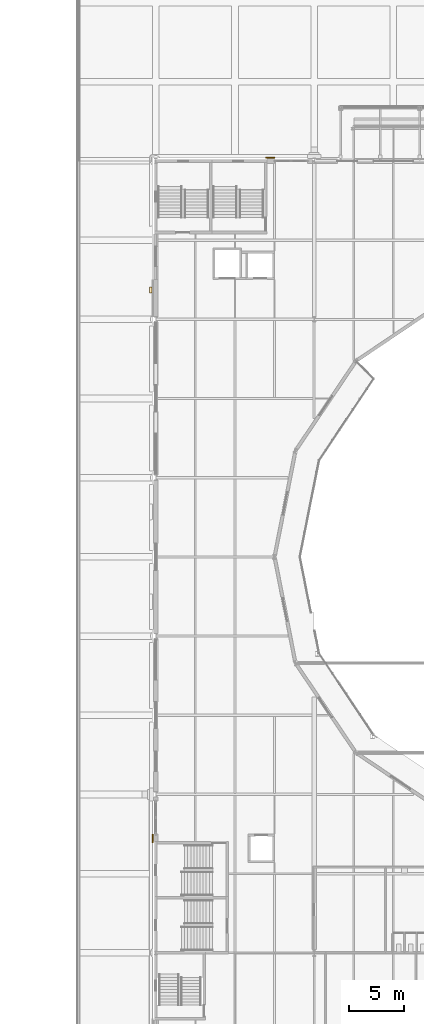
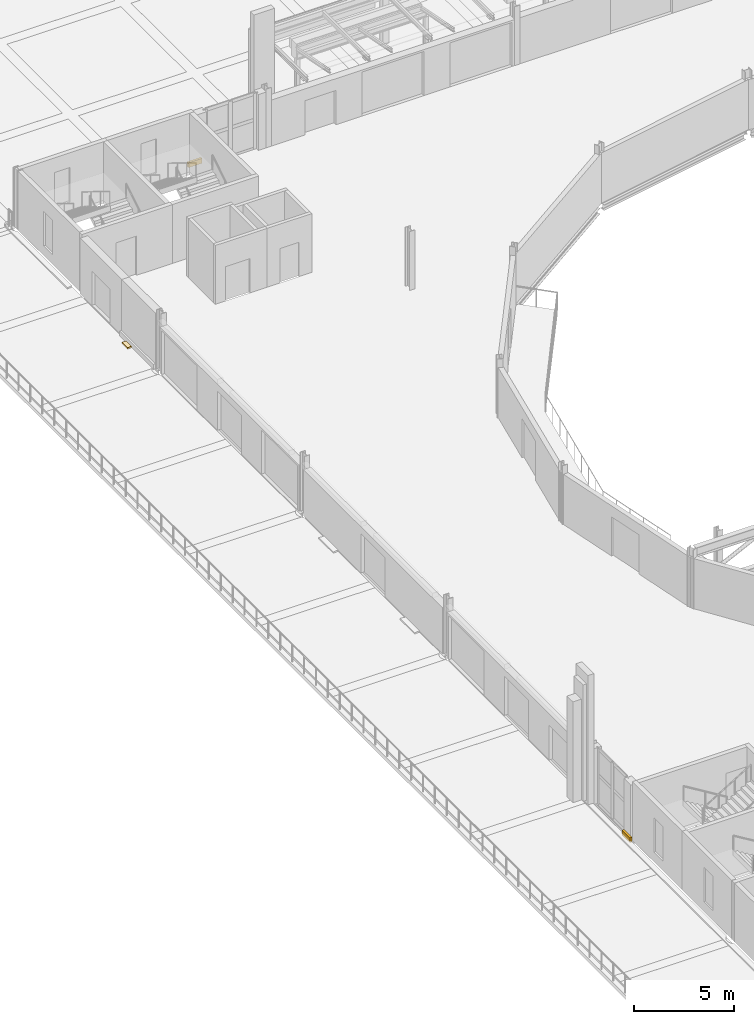
# One storey, part 137 of 143: 3 coverings.
"""IFC4 building model written with IfcOpenShell, lengths in metres."""

import ifcopenshell
import ifcopenshell.guid

model = None  # the IFC model being written
_history = None  # IfcOwnerHistory: only IFC2X3 demands one
_inside = {}  # id of a spatial element -> (the spatial element, [elements in it])
_under = {}  # id of a project, library or spatial element -> (it, [spatial elements below it])
_declared = {}  # id of a project -> (the project, [libraries it declares])
_typed = {}  # id of a type object -> (the type object, [elements of that type])
_made_of = {}  # id of a material, layer set ... -> (it, [elements and type objects made of it])


def new_model(schema):
    """Start an empty IFC model of exactly this schema.

    Asked for "IFC4X3", IfcOpenShell would pick the latest addendum, in which some entities
    have other attributes; the version numbers below select the first issue.
    IFC2X3 requires an IfcOwnerHistory on every rooted entity: one is made here for all.
    """
    global model, _history
    if schema == "IFC4X3":
        model = ifcopenshell.file(schema_version=(4, 3, 0, 0))
    else:
        model = ifcopenshell.file(schema=schema)
    _inside.clear()
    _under.clear()
    _declared.clear()
    _typed.clear()
    _made_of.clear()
    _history = None
    if model.schema == "IFC2X3":
        org = make("IfcOrganization", Name="unknown")
        user = make(
            "IfcPersonAndOrganization",
            ThePerson=make("IfcPerson", FamilyName="unknown"),
            TheOrganization=org,
        )
        app = make(
            "IfcApplication",
            ApplicationDeveloper=org,
            Version="unknown",
            ApplicationFullName="unknown",
            ApplicationIdentifier="unknown",
        )
        _history = make(
            "IfcOwnerHistory",
            OwningUser=user,
            OwningApplication=app,
            ChangeAction="ADDED",
            CreationDate=0,
        )
    return model


def make(cls, **values):
    """One entity of the class cls with the attributes given. An attribute that is None is left unset."""
    return model.create_entity(
        cls, **{name: value for name, value in values.items() if value is not None}
    )


def rooted(cls, **values):
    """An entity with a GlobalId (a new one), such as an element, a storey or a relation."""
    return make(cls, GlobalId=ifcopenshell.guid.new(), OwnerHistory=_history, **values)


def si_unit(unit_type, name, prefix=None):
    """IfcSIUnit, for example si_unit("LENGTHUNIT", "METRE", prefix="MILLI")."""
    return make("IfcSIUnit", UnitType=unit_type, Prefix=prefix, Name=name)


def assignment(units):
    """IfcUnitAssignment: the units of a project."""
    return None if units is None else make("IfcUnitAssignment", Units=units)


def point(xyz):
    """IfcCartesianPoint."""
    return None if xyz is None else make("IfcCartesianPoint", Coordinates=xyz)


def direction(xyz):
    """IfcDirection."""
    return None if xyz is None else make("IfcDirection", DirectionRatios=xyz)


def frame(location, z_axis=None, x_axis=None):
    """IfcAxis2Placement3D, a coordinate frame: its origin and axes. An axis left out is left unset."""
    return make(
        "IfcAxis2Placement3D",
        Location=point(location),
        Axis=direction(z_axis),
        RefDirection=direction(x_axis),
    )


def frame_2d(location, x_axis=None):
    """IfcAxis2Placement2D, a coordinate frame in the plane: its origin and x axis."""
    return make(
        "IfcAxis2Placement2D", Location=point(location), RefDirection=direction(x_axis)
    )


def origin():
    """The frame at (0, 0, 0) with its axes left unset."""
    return frame((0.0, 0.0, 0.0))


def origin_2d():
    """The frame at (0, 0) in the plane with its x axis left unset."""
    return frame_2d((0.0, 0.0))


def place(relative_to, where):
    """IfcLocalPlacement: puts the frame where relative to a parent placement (None: the world)."""
    return make(
        "IfcLocalPlacement", PlacementRelTo=relative_to, RelativePlacement=where
    )


def context(
    kind, dimensions, precision=None, world=None, true_north=None, identifier=None
):
    """IfcGeometricRepresentationContext, for example the 3D "Model" context."""
    return make(
        "IfcGeometricRepresentationContext",
        ContextIdentifier=identifier,
        ContextType=kind,
        CoordinateSpaceDimension=dimensions,
        Precision=precision,
        WorldCoordinateSystem=world,
        TrueNorth=true_north,
    )


def subcontext(parent, identifier, kind, view, scale=None):
    """IfcGeometricRepresentationSubContext, for example "Body" below "Model"."""
    return make(
        "IfcGeometricRepresentationSubContext",
        ContextIdentifier=identifier,
        ContextType=kind,
        ParentContext=parent,
        TargetScale=scale,
        TargetView=view,
    )


def project(units=None, contexts=None):
    """IfcProject with its units and contexts."""
    return rooted(
        "IfcProject",
        Name="project",
        RepresentationContexts=contexts,
        UnitsInContext=assignment(units),
    )


def spatial(cls, under=None, at=None, **own):
    """A site, building, storey or space (cls), placed at a placement, below another one or the project."""
    s = rooted(cls, ObjectPlacement=at, **own)
    if under is not None:
        _under.setdefault(under.id(), (under, []))[1].append(s)
    return s


def polyline(points):
    """IfcPolyline through the points."""
    return make("IfcPolyline", Points=[point(p) for p in points])


def profile(cls, at=None, kind="AREA", **sizes):
    """A parametric profile (cls). Its sizes go by their IFC names, for example OverallWidth=200.0."""
    return make(cls, ProfileType=kind, Position=at, **sizes)


def rectangle(**sizes):
    """IfcRectangleProfileDef."""
    return profile("IfcRectangleProfileDef", **sizes)


def outline(outer, holes=None, kind="AREA"):
    """IfcArbitraryClosedProfileDef: a profile drawn as a closed curve; with holes, ...WithVoids."""
    if holes is None:
        return make("IfcArbitraryClosedProfileDef", ProfileType=kind, OuterCurve=outer)
    return make(
        "IfcArbitraryProfileDefWithVoids",
        ProfileType=kind,
        OuterCurve=outer,
        InnerCurves=holes,
    )


def extrude(swept, where, along, depth):
    """IfcExtrudedAreaSolid: the profile swept, set in the frame where, extruded along a direction by depth."""
    return make(
        "IfcExtrudedAreaSolid",
        SweptArea=swept,
        Position=where,
        ExtrudedDirection=direction(along),
        Depth=depth,
    )


def shape(context_of_items, identifier, shape_type, items):
    """IfcShapeRepresentation: the items that make up one representation, for example the "Body"."""
    return make(
        "IfcShapeRepresentation",
        ContextOfItems=context_of_items,
        RepresentationIdentifier=identifier,
        RepresentationType=shape_type,
        Items=items,
    )


def material(Name=None, Category=None):
    """IfcMaterial."""
    return make("IfcMaterial", Name=Name, Category=Category)


def layer(
    of_material, thickness, ventilated=None, Name=None, Category=None, Priority=None
):
    """IfcMaterialLayer: one layer of a wall or slab, of a material (None: an air gap)."""
    return make(
        "IfcMaterialLayer",
        Material=of_material,
        LayerThickness=thickness,
        IsVentilated=ventilated,
        Name=Name,
        Category=Category,
        Priority=Priority,
    )


def layer_set(layers, Name=None):
    """IfcMaterialLayerSet."""
    return make("IfcMaterialLayerSet", MaterialLayers=layers, LayerSetName=Name)


def made_of(thing, what):
    """Note that an element or type object is made of a material, layer set ...; save() writes the relation."""
    if what is not None:
        _made_of.setdefault(what.id(), (what, []))[1].append(thing)
    return thing


def type_object(cls, material=None, **own):
    """A type object (cls), such as IfcWallType, which elements share."""
    return made_of(rooted(cls, **own), material)


def element(
    cls,
    number,
    at=None,
    inside=None,
    cuts=None,
    type_object=None,
    material=None,
    context=None,
    identifier="Body",
    shape_type=None,
    held_by="IfcProductDefinitionShape",
    body=None,
    shapes=None,
    **own,
):
    """One element of the class cls, such as IfcWall. Its Tag is "e" and its number.

    at: its placement. inside: the storey or other place that contains it. cuts: it is an
    opening in that element (IfcRelVoidsElement). A single representation is given by context,
    identifier, shape_type and body (its items); several are given by shapes. held_by: the class
    of the entity that holds the representations. save() writes the other relations.
    """
    e = rooted(cls, Tag="e%d" % number, ObjectPlacement=at, **own)
    if body is not None:
        shapes = [shape(context, identifier, shape_type, body)]
    if shapes is not None:
        e.Representation = make(held_by, Representations=shapes)
    if inside is not None:
        _inside.setdefault(inside.id(), (inside, []))[1].append(e)
    if cuts is not None:
        rooted(
            "IfcRelVoidsElement", RelatingBuildingElement=cuts, RelatedOpeningElement=e
        )
    if type_object is not None:
        _typed.setdefault(type_object.id(), (type_object, []))[1].append(e)
    return made_of(e, material)


def aggregate(whole, parts):
    """IfcRelAggregates: a whole, such as a stair, and the parts it consists of."""
    return rooted("IfcRelAggregates", RelatingObject=whole, RelatedObjects=parts)


def save(model, path):
    """Write the relations noted so far, then the file.

    IfcRelAggregates (storeys below a building ...), IfcRelContainedInSpatialStructure (elements
    in a storey), IfcRelDefinesByType, IfcRelAssociatesMaterial and IfcRelDeclares: one each for
    every whole, place, type object, material and project.
    """
    for whole, parts in _under.values():
        aggregate(whole, parts)
    for where, things in _inside.values():
        rooted(
            "IfcRelContainedInSpatialStructure",
            RelatedElements=things,
            RelatingStructure=where,
        )
    for kind, things in _typed.values():
        rooted("IfcRelDefinesByType", RelatedObjects=things, RelatingType=kind)
    for what, things in _made_of.values():
        rooted("IfcRelAssociatesMaterial", RelatedObjects=things, RelatingMaterial=what)
    for by, libraries in _declared.values():
        rooted("IfcRelDeclares", RelatingContext=by, RelatedDefinitions=libraries)
    model.write(path)


model = new_model("IFC4")

# Units and contexts
model_context = context("Model", 3, precision=1e-05, world=origin(), true_north=direction((0.0, 1.0)))
body_context = subcontext(model_context, "Body", "Model", "MODEL_VIEW")
ifc_project = project(units=[si_unit("LENGTHUNIT", "METRE"), si_unit("AREAUNIT", "SQUARE_METRE"), si_unit("VOLUMEUNIT", "CUBIC_METRE"), si_unit("PLANEANGLEUNIT", "RADIAN"), si_unit("MASSUNIT", "GRAM", prefix="KILO")], contexts=[model_context])

# Site, building, storey
site_placement = place(None, origin())
site = spatial("IfcSite", under=ifc_project, at=site_placement, CompositionType="ELEMENT")
building_placement = place(site_placement, origin())
building = spatial("IfcBuilding", under=site, at=building_placement, Name="Kupolbacken Congress Centre", CompositionType="ELEMENT")
storey_placement = place(building_placement, frame((0.0, 0.0, 7.199951171875)))
storey = spatial("IfcBuildingStorey", under=building, at=storey_placement, Name="L02", CompositionType="ELEMENT", Elevation=7.199951171875)

# Coverings
ifc_material_1 = material(Name="Limestone cladding", Category="masonry")
ifc_layer_1 = layer(ifc_material_1, 0.1201171875)
ifc_layer_set_1 = layer_set([ifc_layer_1], Name="Limestone cladding")
covering_type_1 = type_object("IfcCoveringType", Name="CV1 limestone cladding band 120", PredefinedType="CLADDING", material=ifc_layer_set_1)
for number, where, z_axis, x_axis, name in (
    (1, (17.60009765625, 122.679931640625, 0.0), (0.0, 0.0, 1.0), (-1.0, 0.0, 0.0), "E/P/N/L02/283/band"),
    (2, (6.919921875, 60.800048828125, 0.0), (0.0, 0.0, 1.0), (0.0, -1.0, 0.0), "E/P/W/L02/294/band"),
):
    element("IfcCovering", number, at=place(storey_placement, frame(where, z_axis=z_axis, x_axis=x_axis)), inside=storey, type_object=covering_type_1, Name=name, PredefinedType="CLADDING", context=body_context, shape_type="SweptSolid", body=[
        extrude(rectangle(XDim=0.800048828125, YDim=0.1201171875, at=origin_2d()), origin(), (0.0, 0.0, 1.0), 0.300048828125),
    ])
ifc_material_2 = material(Name="Granite setts", Category="masonry")
ifc_layer_2 = layer(ifc_material_2, 0.10009765625)
ifc_layer_set_2 = layer_set([ifc_layer_2], Name="Granite setts")
covering_type_2 = type_object("IfcCoveringType", Name="GR3 granite sett paving 100", PredefinedType="FLOORING", material=ifc_layer_set_2)
covering_placement = place(storey_placement, origin())
element("IfcCovering", 3, at=covering_placement, inside=storey, type_object=covering_type_2, Name="Granite kerb edging", PredefinedType="FLOORING", context=body_context, shape_type="SweptSolid", body=[
    extrude(outline(polyline([(6.65380859375, 110.953857421875), (6.85791015625, 110.923583984375), (6.85791015625, 110.408203125), (6.7490234375, 110.40283203125), (6.625, 110.384521484375), (6.625, 110.9609375), (6.65380859375, 110.953857421875)])), origin(), (0.0, 0.0, 1.0), 0.10009765625),
])

save(model, "model.ifc")
